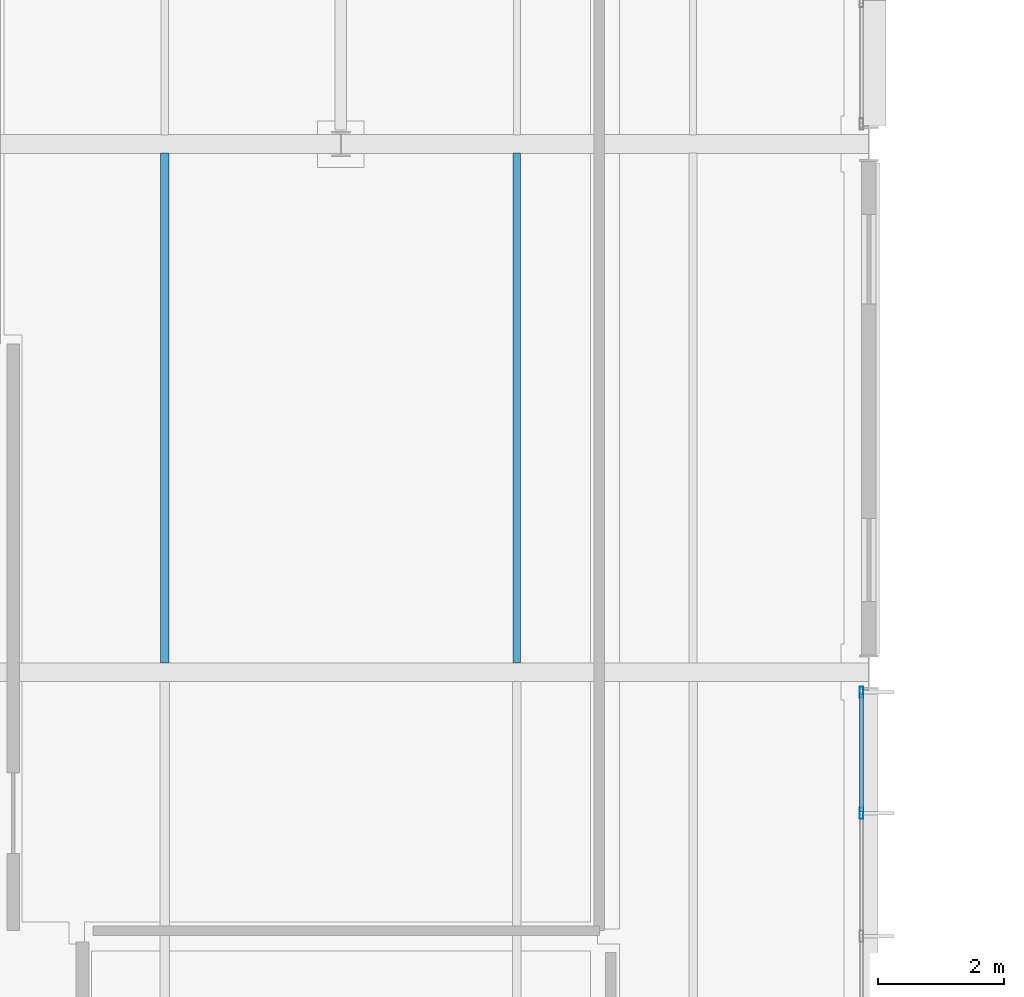
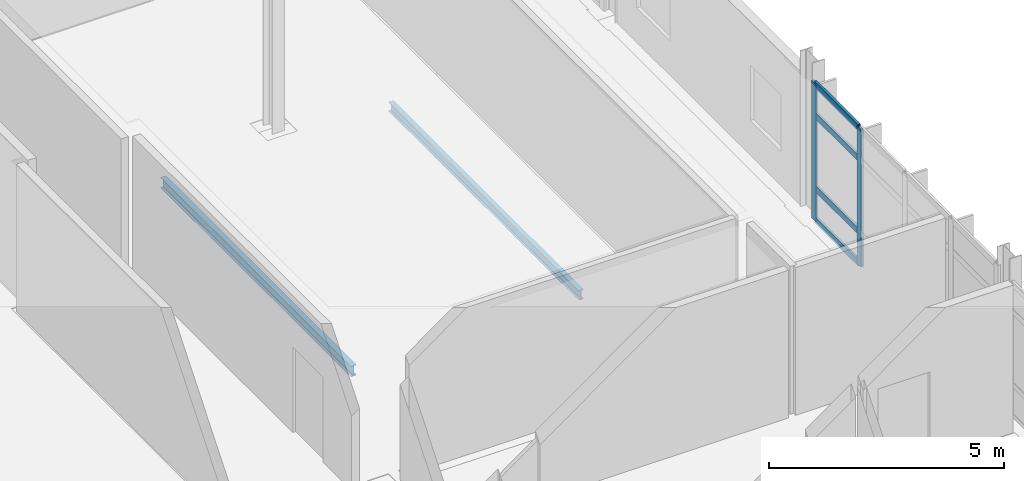
# One storey, part 64 of 151: 6 members, 2 beams, 1 element without a shape of its own.
"""IFC4 building model written with IfcOpenShell, lengths in metres."""

from ifc_helpers import new_model, si_unit, direction, frame, origin, origin_2d, place, context, subcontext, project, spatial, hollow_rectangle, i_section, extrude, material, material_profile, profile_set, type_object, element, aggregate, save


model = new_model("IFC4")

# Units and contexts
model_context = context("Model", 3, precision=1e-05, world=origin(), true_north=direction((0.0, 1.0)))
body_context = subcontext(model_context, "Body", "Model", "MODEL_VIEW")
ifc_project = project(units=[si_unit("LENGTHUNIT", "METRE"), si_unit("AREAUNIT", "SQUARE_METRE"), si_unit("VOLUMEUNIT", "CUBIC_METRE"), si_unit("PLANEANGLEUNIT", "RADIAN"), si_unit("MASSUNIT", "GRAM", prefix="KILO")], contexts=[model_context])

# Site, building, storey
site_placement = place(None, origin())
site = spatial("IfcSite", under=ifc_project, at=site_placement, CompositionType="ELEMENT")
building_placement = place(site_placement, origin())
building = spatial("IfcBuilding", under=site, at=building_placement, Name="Mersafa Astral City Hall", CompositionType="ELEMENT")
storey_placement = place(building_placement, frame((0.0, 0.0, 9.89990234375)))
storey = spatial("IfcBuildingStorey", under=building, at=storey_placement, Name="L02", CompositionType="ELEMENT", Elevation=9.89990234375)

# Curtain wall, members
ifc_material_1 = material(Name="Anodised bronze aluminium framing", Category="aluminium")
curtain_wall_type = type_object("IfcCurtainWallType", Name="ENV-CW-1", PredefinedType="USERDEFINED", material=ifc_material_1)
curtain_wall_placement = place(storey_placement, origin())
curtain_wall = element("IfcCurtainWall", 1, at=curtain_wall_placement, inside=storey, type_object=curtain_wall_type, Name="L02 Unitised solar curtain wall 114", ObjectType="UNITISED CURTAIN WALL", PredefinedType="USERDEFINED")
ifc_material_profile_1 = material_profile(ifc_material_1, hollow_rectangle(XDim=0.06005859375, YDim=0.179931640625, WallThickness=0.00390625, at=origin_2d()), Name="RHS 60x180x4")
ifc_profile_set_1 = profile_set([ifc_material_profile_1], Name="Anodised bronze aluminium framing")
member_type_1 = type_object("IfcMemberType", Name="ENV-CW-MUL-1", PredefinedType="MULLION", material=ifc_profile_set_1)
member_1_placement = place(storey_placement, frame((117.47998046875, 81.756591796875, -0.001953125), z_axis=(0.0, 0.0, 1.0), x_axis=(-1.0, 0.0, 0.0)))
member_1 = element("IfcMember", 2, at=member_1_placement, type_object=member_type_1, Name="CW-1 mullion 4", PredefinedType="MULLION", context=body_context, shape_type="SweptSolid", body=[
    extrude(hollow_rectangle(XDim=0.06005859375, YDim=0.179931640625, WallThickness=0.00390625, at=origin_2d()), origin(), (0.0, 0.0, 1.0), 3.5791015625),
])
member_2_placement = place(storey_placement, frame((117.47998046875, 83.68310546875, -0.001953125), z_axis=(0.0, 0.0, 1.0), x_axis=(-1.0, 0.0, 0.0)))
member_2 = element("IfcMember", 3, at=member_2_placement, type_object=member_type_1, Name="CW-1 mullion 5", PredefinedType="MULLION", context=body_context, shape_type="SweptSolid", body=[
    extrude(hollow_rectangle(XDim=0.06005859375, YDim=0.179931640625, WallThickness=0.00390625, at=origin_2d()), origin(), (0.0, 0.0, 1.0), 3.5791015625),
])
ifc_material_profile_2 = material_profile(ifc_material_1, hollow_rectangle(XDim=0.06005859375, YDim=0.159912109375, WallThickness=0.00390625, at=origin_2d()), Name="RHS 60x160x4")
ifc_profile_set_2 = profile_set([ifc_material_profile_2], Name="Anodised bronze aluminium framing")
member_type_2 = type_object("IfcMemberType", Name="ENV-CW-TRN-2", PredefinedType="USERDEFINED", material=ifc_profile_set_2)
member_3_placement = place(storey_placement, frame((117.47998046875, 81.78662109375, 0.028076171875), z_axis=(0.0, 1.0, 0.0), x_axis=(-1.0, 0.0, 0.0)))
member_3 = element("IfcMember", 4, at=member_3_placement, type_object=member_type_2, Name="CW-1 transom 4.1", ObjectType="TRANSOM", PredefinedType="USERDEFINED", context=body_context, shape_type="SweptSolid", body=[
    extrude(hollow_rectangle(XDim=0.06005859375, YDim=0.159912109375, WallThickness=0.00390625, at=origin_2d()), origin(), (0.0, 0.0, 1.0), 1.866455078125),
])
member_4_placement = place(storey_placement, frame((117.47998046875, 81.78662109375, 0.85009765625), z_axis=(0.0, 1.0, 0.0), x_axis=(-1.0, 0.0, 0.0)))
member_4 = element("IfcMember", 5, at=member_4_placement, type_object=member_type_2, Name="CW-1 transom 4.2", ObjectType="TRANSOM", PredefinedType="USERDEFINED", context=body_context, shape_type="SweptSolid", body=[
    extrude(hollow_rectangle(XDim=0.06005859375, YDim=0.159912109375, WallThickness=0.00390625, at=origin_2d()), origin(), (0.0, 0.0, 1.0), 1.866455078125),
])
member_5_placement = place(storey_placement, frame((117.47998046875, 81.78662109375, 2.75), z_axis=(0.0, 1.0, 0.0), x_axis=(-1.0, 0.0, 0.0)))
member_5 = element("IfcMember", 6, at=member_5_placement, type_object=member_type_2, Name="CW-1 transom 4.3", ObjectType="TRANSOM", PredefinedType="USERDEFINED", context=body_context, shape_type="SweptSolid", body=[
    extrude(hollow_rectangle(XDim=0.06005859375, YDim=0.159912109375, WallThickness=0.00390625, at=origin_2d()), origin(), (0.0, 0.0, 1.0), 1.866455078125),
])
member_6_placement = place(storey_placement, frame((117.47998046875, 81.78662109375, 3.547119140625), z_axis=(0.0, 1.0, 0.0), x_axis=(-1.0, 0.0, 0.0)))
member_6 = element("IfcMember", 7, at=member_6_placement, type_object=member_type_2, Name="CW-1 transom 4.4", ObjectType="TRANSOM", PredefinedType="USERDEFINED", context=body_context, shape_type="SweptSolid", body=[
    extrude(hollow_rectangle(XDim=0.06005859375, YDim=0.159912109375, WallThickness=0.00390625, at=origin_2d()), origin(), (0.0, 0.0, 1.0), 1.866455078125),
])
aggregate(curtain_wall, [member_1, member_2, member_3, member_4, member_5, member_6])

# Beams
ifc_material_2 = material(Name="Steel S355", Category="steel")
ifc_material_profile_3 = material_profile(ifc_material_2, i_section(OverallWidth=0.1201171875, OverallDepth=0.239990234375, WebThickness=0.006103515625, FlangeThickness=0.009765625, FilletRadius=0.014892578125, at=origin_2d()), Name="IPE 240")
ifc_profile_set_3 = profile_set([ifc_material_profile_3], Name="Steel S355")
beam_type_1 = type_object("IfcBeamType", Name="STR-BM-JOIST-IPE240", PredefinedType="JOIST", material=ifc_profile_set_3)
beam_1_placement = place(storey_placement, frame((112.0, 84.14501953125, -0.31982421875), z_axis=(0.0, 1.0, 0.0), x_axis=(-1.0, 0.0, 0.0)))
element("IfcBeam", 8, at=beam_1_placement, inside=storey, type_object=beam_type_1, Name="L02 Composite secondary floor joist 484", PredefinedType="JOIST", context=body_context, shape_type="SweptSolid", body=[
    extrude(i_section(OverallWidth=0.1201171875, OverallDepth=0.239990234375, WebThickness=0.006103515625, FlangeThickness=0.009765625, FilletRadius=0.014892578125, at=origin_2d()), origin(), (0.0, 0.0, 1.0), 8.10986328125),
])
ifc_material_profile_4 = material_profile(ifc_material_2, i_section(OverallWidth=0.135009765625, OverallDepth=0.27001953125, WebThickness=0.006591796875, FlangeThickness=0.01025390625, FilletRadius=0.014892578125, at=origin_2d()), Name="IPE 270")
ifc_profile_set_4 = profile_set([ifc_material_profile_4], Name="Steel S355")
beam_type_2 = type_object("IfcBeamType", Name="STR-BM-JOIST-IPE270", PredefinedType="JOIST", material=ifc_profile_set_4)
beam_2_placement = place(storey_placement, frame((106.39990234375, 84.14501953125, -0.3349609375), z_axis=(0.0, 1.0, 0.0), x_axis=(-1.0, 0.0, 0.0)))
element("IfcBeam", 9, at=beam_2_placement, inside=storey, type_object=beam_type_2, Name="L02 Composite secondary floor joist 461", PredefinedType="JOIST", context=body_context, shape_type="SweptSolid", body=[
    extrude(i_section(OverallWidth=0.135009765625, OverallDepth=0.27001953125, WebThickness=0.006591796875, FlangeThickness=0.01025390625, FilletRadius=0.014892578125, at=origin_2d()), origin(), (0.0, 0.0, 1.0), 8.10986328125),
])

save(model, "model.ifc")
